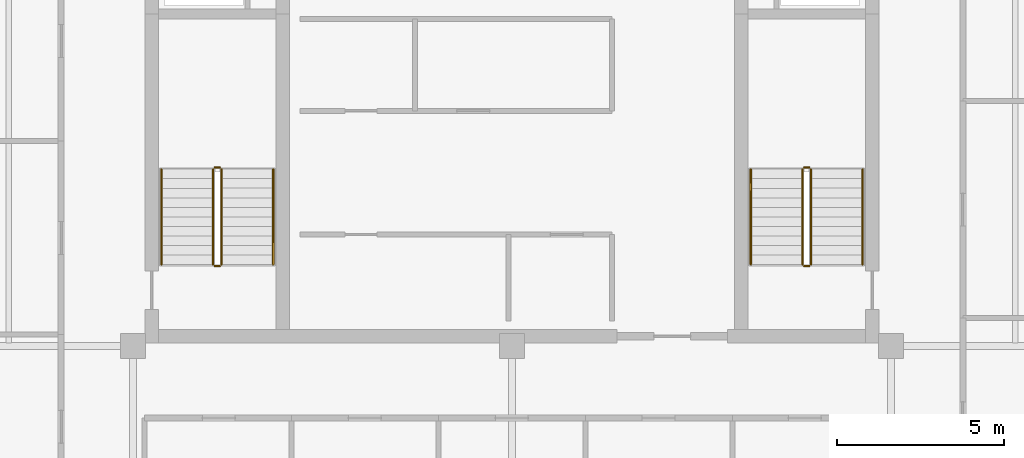
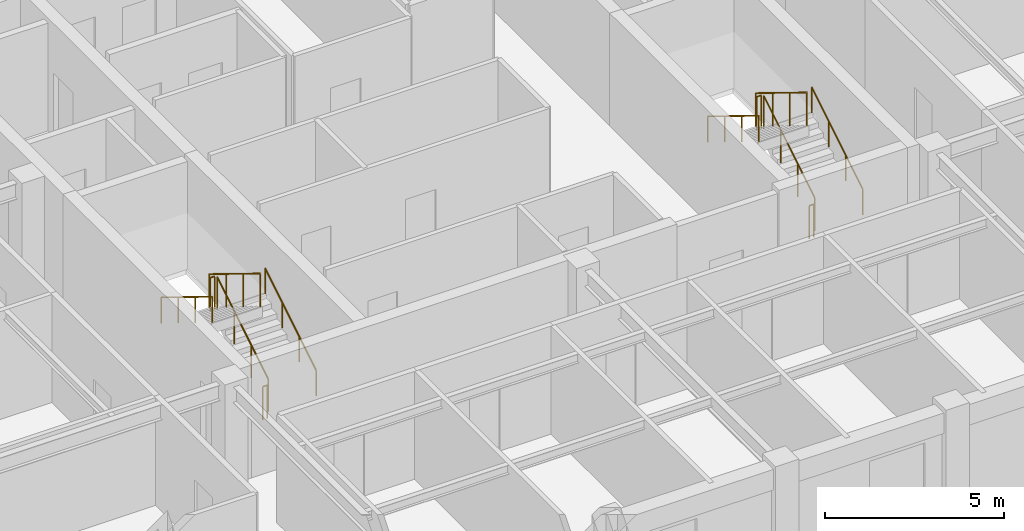
# One storey, part 8 of 8: 12 railings.
"""IFC4 building model written with IfcOpenShell, lengths in metres."""

from ifc_helpers import new_model, si_unit, direction, frame, origin, origin_2d, place, context, subcontext, project, spatial, circle, extrude, material, type_object, element, save


model = new_model("IFC4")

# Units and contexts
model_context = context("Model", 3, precision=1e-05, world=origin(), true_north=direction((0.0, 1.0)))
body_context = subcontext(model_context, "Body", "Model", "MODEL_VIEW")
ifc_project = project(units=[si_unit("LENGTHUNIT", "METRE"), si_unit("AREAUNIT", "SQUARE_METRE"), si_unit("VOLUMEUNIT", "CUBIC_METRE"), si_unit("PLANEANGLEUNIT", "RADIAN"), si_unit("MASSUNIT", "GRAM", prefix="KILO")], contexts=[model_context])

# Site, building, storey
site_placement = place(None, origin())
site = spatial("IfcSite", under=ifc_project, at=site_placement, CompositionType="ELEMENT")
building_placement = place(site_placement, origin())
building = spatial("IfcBuilding", under=site, at=building_placement, Name="Nhamokura Convention Tower", CompositionType="ELEMENT")
storey_placement = place(building_placement, frame((0.0, 0.0, 292.949951171875)))
storey = spatial("IfcBuildingStorey", under=building, at=storey_placement, Name="L72", CompositionType="ELEMENT", Elevation=292.949951171875)

# Railings
ifc_material_1 = material(Name="Anodised bronze stainless steel", Category="steel")
railing_type_1 = type_object("IfcRailingType", Name="StairWallHandrail_900", PredefinedType="HANDRAIL", material=ifc_material_1)
railing_1_placement = place(storey_placement, frame((24.85009765625, 23.10009765625, 0.175048828125)))
element("IfcRailing", 1, at=railing_1_placement, inside=storey, type_object=railing_type_1, Name="L72 ST-01 stair handrail 1", PredefinedType="HANDRAIL", context=body_context, shape_type="SweptSolid", body=[
    extrude(circle(Radius=0.02392578125, at=origin_2d()), frame((0.0, 0.0, 0.8759765625), z_axis=(0.0, 0.852159232446, 0.523282564737), x_axis=(-1.0, 0.0, 0.0)), (0.0, 0.0, 1.0), 3.34423828125),
    extrude(circle(Radius=0.02099609375, at=origin_2d()), origin(), (0.0, 0.0, 1.0), 0.851806640625),
    extrude(circle(Radius=0.02099609375, at=origin_2d()), frame((0.0, 0.949951171875, 0.583251953125)), (0.0, 0.0, 1.0), 0.851806640625),
    extrude(circle(Radius=0.02099609375, at=origin_2d()), frame((0.0, 1.89990234375, 1.166748046875)), (0.0, 0.0, 1.0), 0.851806640625),
    extrude(circle(Radius=0.02099609375, at=origin_2d()), frame((0.0, 2.849853515625, 1.75)), (0.0, 0.0, 1.0), 0.851806640625),
])
railing_2_placement = place(storey_placement, frame((21.5, 25.949951171875, 2.10009765625)))
element("IfcRailing", 2, at=railing_2_placement, inside=storey, type_object=railing_type_1, Name="L72 ST-01 stair handrail 2", PredefinedType="HANDRAIL", context=body_context, shape_type="SweptSolid", body=[
    extrude(circle(Radius=0.02392578125, at=origin_2d()), frame((0.0, 0.0, 0.8759765625), z_axis=(0.0, -0.852159232446, 0.523282564737), x_axis=(1.0, 0.0, 0.0)), (0.0, 0.0, 1.0), 3.34423828125),
    extrude(circle(Radius=0.02099609375, at=origin_2d()), origin(), (0.0, 0.0, 1.0), 0.851806640625),
    extrude(circle(Radius=0.02099609375, at=origin_2d()), frame((0.0, -0.949951171875, 0.583251953125)), (0.0, 0.0, 1.0), 0.851806640625),
    extrude(circle(Radius=0.02099609375, at=origin_2d()), frame((0.0, -1.89990234375, 1.166748046875)), (0.0, 0.0, 1.0), 0.851806640625),
    extrude(circle(Radius=0.02099609375, at=origin_2d()), frame((0.0, -2.849853515625, 1.75)), (0.0, 0.0, 1.0), 0.851806640625),
])
railing_3_placement = place(storey_placement, frame((42.5, 23.10009765625, 0.175048828125)))
element("IfcRailing", 3, at=railing_3_placement, inside=storey, type_object=railing_type_1, Name="L72 ST-02 stair handrail 1", PredefinedType="HANDRAIL", context=body_context, shape_type="SweptSolid", body=[
    extrude(circle(Radius=0.02392578125, at=origin_2d()), frame((0.0, 0.0, 0.8759765625), z_axis=(0.0, 0.852159232446, 0.523282564737), x_axis=(-1.0, 0.0, 0.0)), (0.0, 0.0, 1.0), 3.34423828125),
    extrude(circle(Radius=0.02099609375, at=origin_2d()), origin(), (0.0, 0.0, 1.0), 0.851806640625),
    extrude(circle(Radius=0.02099609375, at=origin_2d()), frame((0.0, 0.949951171875, 0.583251953125)), (0.0, 0.0, 1.0), 0.851806640625),
    extrude(circle(Radius=0.02099609375, at=origin_2d()), frame((0.0, 1.89990234375, 1.166748046875)), (0.0, 0.0, 1.0), 0.851806640625),
    extrude(circle(Radius=0.02099609375, at=origin_2d()), frame((0.0, 2.849853515625, 1.75)), (0.0, 0.0, 1.0), 0.851806640625),
])
railing_4_placement = place(storey_placement, frame((39.14990234375, 25.949951171875, 2.10009765625)))
element("IfcRailing", 4, at=railing_4_placement, inside=storey, type_object=railing_type_1, Name="L72 ST-02 stair handrail 2", PredefinedType="HANDRAIL", context=body_context, shape_type="SweptSolid", body=[
    extrude(circle(Radius=0.02392578125, at=origin_2d()), frame((0.0, 0.0, 0.8759765625), z_axis=(0.0, -0.852159232446, 0.523282564737), x_axis=(1.0, 0.0, 0.0)), (0.0, 0.0, 1.0), 3.34423828125),
    extrude(circle(Radius=0.02099609375, at=origin_2d()), origin(), (0.0, 0.0, 1.0), 0.851806640625),
    extrude(circle(Radius=0.02099609375, at=origin_2d()), frame((0.0, -0.949951171875, 0.583251953125)), (0.0, 0.0, 1.0), 0.851806640625),
    extrude(circle(Radius=0.02099609375, at=origin_2d()), frame((0.0, -1.89990234375, 1.166748046875)), (0.0, 0.0, 1.0), 0.851806640625),
    extrude(circle(Radius=0.02099609375, at=origin_2d()), frame((0.0, -2.849853515625, 1.75)), (0.0, 0.0, 1.0), 0.851806640625),
])
ifc_material_2 = material(Name="Painted tubular steel", Category="steel")
railing_type_2 = type_object("IfcRailingType", Name="StairWellGuardrail_1150", PredefinedType="GUARDRAIL", material=ifc_material_2)
railing_5_placement = place(storey_placement, frame((23.300048828125, 23.10009765625, 0.175048828125)))
element("IfcRailing", 5, at=railing_5_placement, inside=storey, type_object=railing_type_2, Name="L72 ST-01 stair guard 1", PredefinedType="GUARDRAIL", context=body_context, shape_type="SweptSolid", body=[
    extrude(circle(Radius=0.02392578125, at=origin_2d()), frame((0.0, 0.0, 1.1259765625), z_axis=(0.0, 0.852159232446, 0.523282564737), x_axis=(-1.0, 0.0, 0.0)), (0.0, 0.0, 1.0), 3.34423828125),
    extrude(circle(Radius=0.02099609375, at=origin_2d()), origin(), (0.0, 0.0, 1.0), 1.101806640625),
    extrude(circle(Radius=0.02099609375, at=origin_2d()), frame((0.0, 0.949951171875, 0.583251953125)), (0.0, 0.0, 1.0), 1.101806640625),
    extrude(circle(Radius=0.02099609375, at=origin_2d()), frame((0.0, 1.89990234375, 1.166748046875)), (0.0, 0.0, 1.0), 1.101806640625),
    extrude(circle(Radius=0.02099609375, at=origin_2d()), frame((0.0, 2.849853515625, 1.75)), (0.0, 0.0, 1.0), 1.101806640625),
])
railing_6_placement = place(storey_placement, frame((23.25, 26.0, 1.925048828125)))
element("IfcRailing", 6, at=railing_6_placement, inside=storey, type_object=railing_type_2, Name="L72 ST-01 stair guard 2", PredefinedType="GUARDRAIL", context=body_context, shape_type="SweptSolid", body=[
    extrude(circle(Radius=0.02392578125, at=origin_2d()), frame((0.0, 0.0, 1.1259765625), z_axis=(-1.0, 0.0, 0.0), x_axis=(0.0, -1.0, 0.0)), (0.0, 0.0, 1.0), 0.14990234375),
    extrude(circle(Radius=0.02099609375, at=origin_2d()), origin(), (0.0, 0.0, 1.0), 1.101806640625),
    extrude(circle(Radius=0.02099609375, at=origin_2d()), frame((-0.14990234375, 0.0, 0.0)), (0.0, 0.0, 1.0), 1.101806640625),
])
railing_7_placement = place(storey_placement, frame((23.050048828125, 25.949951171875, 2.10009765625)))
element("IfcRailing", 7, at=railing_7_placement, inside=storey, type_object=railing_type_2, Name="L72 ST-01 stair guard 3", PredefinedType="GUARDRAIL", context=body_context, shape_type="SweptSolid", body=[
    extrude(circle(Radius=0.02392578125, at=origin_2d()), frame((0.0, 0.0, 1.1259765625), z_axis=(0.0, -0.852159232446, 0.523282564737), x_axis=(1.0, 0.0, 0.0)), (0.0, 0.0, 1.0), 3.34423828125),
    extrude(circle(Radius=0.02099609375, at=origin_2d()), origin(), (0.0, 0.0, 1.0), 1.101806640625),
    extrude(circle(Radius=0.02099609375, at=origin_2d()), frame((0.0, -0.949951171875, 0.583251953125)), (0.0, 0.0, 1.0), 1.101806640625),
    extrude(circle(Radius=0.02099609375, at=origin_2d()), frame((0.0, -1.89990234375, 1.166748046875)), (0.0, 0.0, 1.0), 1.101806640625),
    extrude(circle(Radius=0.02099609375, at=origin_2d()), frame((0.0, -2.849853515625, 1.75)), (0.0, 0.0, 1.0), 1.101806640625),
])
railing_8_placement = place(storey_placement, frame((23.25, 23.050048828125, 0.0)))
element("IfcRailing", 8, at=railing_8_placement, inside=storey, type_object=railing_type_2, Name="L72 ST-01 stair guard 4", PredefinedType="GUARDRAIL", context=body_context, shape_type="SweptSolid", body=[
    extrude(circle(Radius=0.02392578125, at=origin_2d()), frame((0.0, 0.0, 1.1259765625), z_axis=(-1.0, 0.0, 0.0), x_axis=(0.0, -1.0, 0.0)), (0.0, 0.0, 1.0), 0.14990234375),
    extrude(circle(Radius=0.02099609375, at=origin_2d()), origin(), (0.0, 0.0, 1.0), 1.101806640625),
    extrude(circle(Radius=0.02099609375, at=origin_2d()), frame((-0.14990234375, 0.0, 0.0)), (0.0, 0.0, 1.0), 1.101806640625),
])
railing_9_placement = place(storey_placement, frame((40.949951171875, 23.10009765625, 0.175048828125)))
element("IfcRailing", 9, at=railing_9_placement, inside=storey, type_object=railing_type_2, Name="L72 ST-02 stair guard 1", PredefinedType="GUARDRAIL", context=body_context, shape_type="SweptSolid", body=[
    extrude(circle(Radius=0.02392578125, at=origin_2d()), frame((0.0, 0.0, 1.1259765625), z_axis=(0.0, 0.852159232446, 0.523282564737), x_axis=(-1.0, 0.0, 0.0)), (0.0, 0.0, 1.0), 3.34423828125),
    extrude(circle(Radius=0.02099609375, at=origin_2d()), origin(), (0.0, 0.0, 1.0), 1.101806640625),
    extrude(circle(Radius=0.02099609375, at=origin_2d()), frame((0.0, 0.949951171875, 0.583251953125)), (0.0, 0.0, 1.0), 1.101806640625),
    extrude(circle(Radius=0.02099609375, at=origin_2d()), frame((0.0, 1.89990234375, 1.166748046875)), (0.0, 0.0, 1.0), 1.101806640625),
    extrude(circle(Radius=0.02099609375, at=origin_2d()), frame((0.0, 2.849853515625, 1.75)), (0.0, 0.0, 1.0), 1.101806640625),
])
railing_10_placement = place(storey_placement, frame((40.89990234375, 26.0, 1.925048828125)))
element("IfcRailing", 10, at=railing_10_placement, inside=storey, type_object=railing_type_2, Name="L72 ST-02 stair guard 2", PredefinedType="GUARDRAIL", context=body_context, shape_type="SweptSolid", body=[
    extrude(circle(Radius=0.02392578125, at=origin_2d()), frame((0.0, 0.0, 1.1259765625), z_axis=(-1.0, 0.0, 0.0), x_axis=(0.0, -1.0, 0.0)), (0.0, 0.0, 1.0), 0.14990234375),
    extrude(circle(Radius=0.02099609375, at=origin_2d()), origin(), (0.0, 0.0, 1.0), 1.101806640625),
    extrude(circle(Radius=0.02099609375, at=origin_2d()), frame((-0.14990234375, 0.0, 0.0)), (0.0, 0.0, 1.0), 1.101806640625),
])
railing_11_placement = place(storey_placement, frame((40.699951171875, 25.949951171875, 2.10009765625)))
element("IfcRailing", 11, at=railing_11_placement, inside=storey, type_object=railing_type_2, Name="L72 ST-02 stair guard 3", PredefinedType="GUARDRAIL", context=body_context, shape_type="SweptSolid", body=[
    extrude(circle(Radius=0.02392578125, at=origin_2d()), frame((0.0, 0.0, 1.1259765625), z_axis=(0.0, -0.852159232446, 0.523282564737), x_axis=(1.0, 0.0, 0.0)), (0.0, 0.0, 1.0), 3.34423828125),
    extrude(circle(Radius=0.02099609375, at=origin_2d()), origin(), (0.0, 0.0, 1.0), 1.101806640625),
    extrude(circle(Radius=0.02099609375, at=origin_2d()), frame((0.0, -0.949951171875, 0.583251953125)), (0.0, 0.0, 1.0), 1.101806640625),
    extrude(circle(Radius=0.02099609375, at=origin_2d()), frame((0.0, -1.89990234375, 1.166748046875)), (0.0, 0.0, 1.0), 1.101806640625),
    extrude(circle(Radius=0.02099609375, at=origin_2d()), frame((0.0, -2.849853515625, 1.75)), (0.0, 0.0, 1.0), 1.101806640625),
])
railing_12_placement = place(storey_placement, frame((40.89990234375, 23.050048828125, 0.0)))
element("IfcRailing", 12, at=railing_12_placement, inside=storey, type_object=railing_type_2, Name="L72 ST-02 stair guard 4", PredefinedType="GUARDRAIL", context=body_context, shape_type="SweptSolid", body=[
    extrude(circle(Radius=0.02392578125, at=origin_2d()), frame((0.0, 0.0, 1.1259765625), z_axis=(-1.0, 0.0, 0.0), x_axis=(0.0, -1.0, 0.0)), (0.0, 0.0, 1.0), 0.14990234375),
    extrude(circle(Radius=0.02099609375, at=origin_2d()), origin(), (0.0, 0.0, 1.0), 1.101806640625),
    extrude(circle(Radius=0.02099609375, at=origin_2d()), frame((-0.14990234375, 0.0, 0.0)), (0.0, 0.0, 1.0), 1.101806640625),
])

save(model, "model.ifc")
